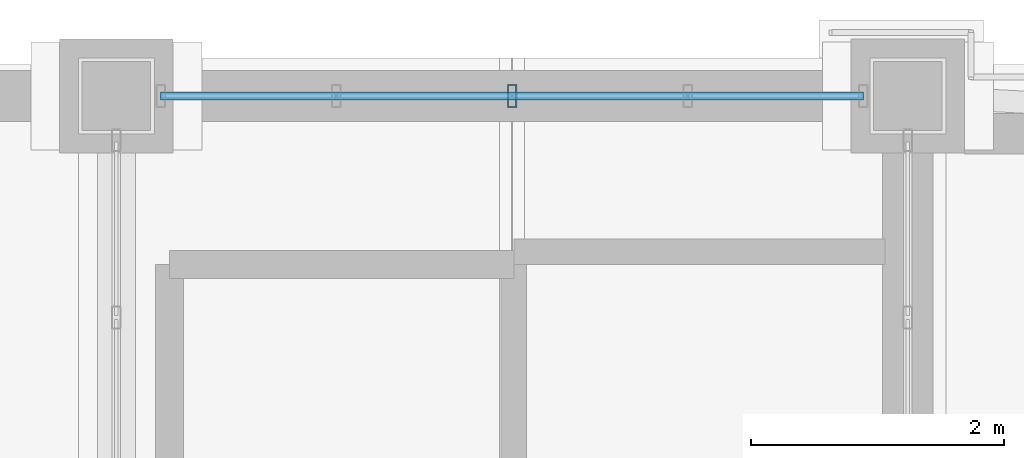
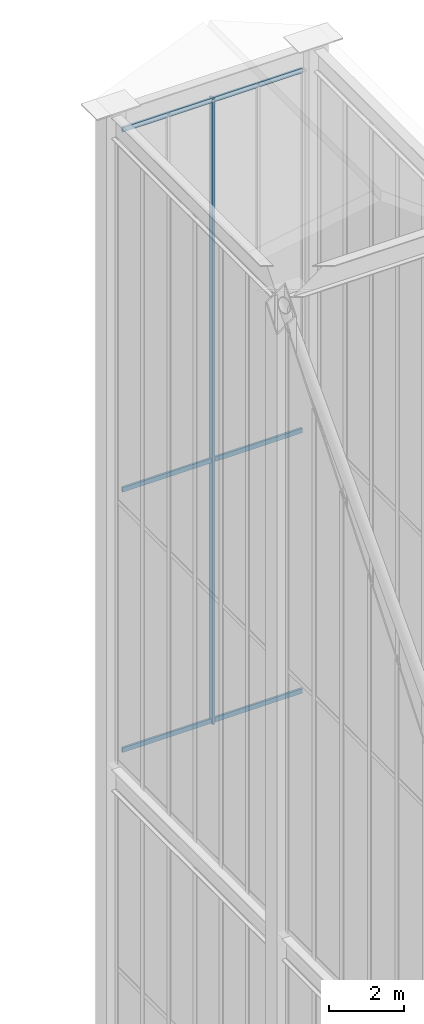
# One storey, part 112 of 135: 4 members, 1 element without a shape of its own.
"""IFC4 building model written with IfcOpenShell, lengths in metres."""

from ifc_helpers import new_model, si_unit, direction, frame, origin, origin_2d, place, context, subcontext, project, spatial, hollow_rectangle, extrude, source, transform, mapped, material, layer, layer_set, material_profile, profile_set, type_object, element, aggregate, save


model = new_model("IFC4")

# Units and contexts
model_context = context("Model", 3, precision=1e-05, world=origin(), true_north=direction((0.0, 1.0)))
body_context = subcontext(model_context, "Body", "Model", "MODEL_VIEW")
ifc_project = project(units=[si_unit("LENGTHUNIT", "METRE"), si_unit("AREAUNIT", "SQUARE_METRE"), si_unit("VOLUMEUNIT", "CUBIC_METRE"), si_unit("PLANEANGLEUNIT", "RADIAN"), si_unit("MASSUNIT", "GRAM", prefix="KILO")], contexts=[model_context])

# Site, building, storey
site_placement = place(None, origin())
site = spatial("IfcSite", under=ifc_project, at=site_placement, CompositionType="ELEMENT")
building_placement = place(site_placement, origin())
building = spatial("IfcBuilding", under=site, at=building_placement, Name="Giltprow Tower", CompositionType="ELEMENT")
storey_placement = place(building_placement, frame((0.0, 0.0, 352.699951171875)))
storey = spatial("IfcBuildingStorey", under=building, at=storey_placement, Name="L92", CompositionType="ELEMENT", Elevation=352.699951171875)

# Curtain wall, members
ifc_material = material(Name="Anodized bronze", Category="metal")
ifc_layer = layer(ifc_material, 0.179931640625, Name="Anodized bronze")
ifc_layer_set = layer_set([ifc_layer], Name="Anodized bronze")
curtain_wall_type = type_object("IfcCurtainWallType", Name="CW-CROWN-LANTERN", PredefinedType="NOTDEFINED", material=ifc_layer_set)
curtain_wall_placement = place(storey_placement, origin())
curtain_wall = element("IfcCurtainWall", 1, at=curtain_wall_placement, inside=storey, type_object=curtain_wall_type, Name="Crown East Upper Lantern Glazing 4", PredefinedType="NOTDEFINED")
ifc_material_profile_1 = material_profile(ifc_material, hollow_rectangle(XDim=0.06494140625, YDim=0.14990234375, WallThickness=0.006103515625, at=origin_2d()), Name="RHS 150x65x6")
ifc_profile_set_1 = profile_set([ifc_material_profile_1], Name="Anodized bronze")
member_type_1 = type_object("IfcMemberType", Name="CW-TRANSOM-150x65", PredefinedType="USERDEFINED", material=ifc_profile_set_1)
shared_shape_1 = source(origin(), body_context, "Body", "SweptSolid", [
    extrude(hollow_rectangle(XDim=0.06494140625, YDim=0.14990234375, WallThickness=0.006103515625, at=origin_2d()), origin(), (0.0, 0.0, 1.0), 5.550048828125),
])
member_1_placement = place(storey_placement, frame((50.199951171875, 46.550048828125, 17.340087890625), z_axis=(-1.0, 0.0, 0.0), x_axis=(0.0, -1.0, 0.0)))
member_1 = element("IfcMember", 2, at=member_1_placement, type_object=member_type_1, Name="Crown East Upper Lantern Glazing 4 Transom 1", ObjectType="TRANSOM", PredefinedType="USERDEFINED", context=body_context, shape_type="MappedRepresentation", body=[
    mapped(shared_shape_1, transform((0.0, 0.0, 0.0), x_axis=(1.0, 0.0, 0.0), y_axis=(0.0, 1.0, 0.0), z_axis=(0.0, 0.0, 1.0), scale=1.0)),
])
member_2_placement = place(storey_placement, frame((50.199951171875, 46.550048828125, 25.8330078125), z_axis=(-1.0, 0.0, 0.0), x_axis=(0.0, -1.0, 0.0)))
member_2 = element("IfcMember", 3, at=member_2_placement, type_object=member_type_1, Name="Crown East Upper Lantern Glazing 4 Transom 2", ObjectType="TRANSOM", PredefinedType="USERDEFINED", context=body_context, shape_type="MappedRepresentation", body=[
    mapped(shared_shape_1, transform((0.0, 0.0, 0.0), x_axis=(1.0, 0.0, 0.0), y_axis=(0.0, 1.0, 0.0), z_axis=(0.0, 0.0, 1.0), scale=1.0)),
])
member_3_placement = place(storey_placement, frame((50.199951171875, 46.550048828125, 37.575927734375), z_axis=(-1.0, 0.0, 0.0), x_axis=(0.0, -1.0, 0.0)))
member_3 = element("IfcMember", 4, at=member_3_placement, type_object=member_type_1, Name="Crown East Upper Lantern Glazing 4 Transom 3", ObjectType="TRANSOM", PredefinedType="USERDEFINED", context=body_context, shape_type="MappedRepresentation", body=[
    mapped(shared_shape_1, transform((0.0, 0.0, 0.0), x_axis=(1.0, 0.0, 0.0), y_axis=(0.0, 1.0, 0.0), z_axis=(0.0, 0.0, 1.0), scale=1.0)),
])
ifc_material_profile_2 = material_profile(ifc_material, hollow_rectangle(XDim=0.074951171875, YDim=0.179931640625, WallThickness=0.008056640625, at=origin_2d()), Name="RHS 180x75x8")
ifc_profile_set_2 = profile_set([ifc_material_profile_2], Name="Anodized bronze")
member_type_2 = type_object("IfcMemberType", Name="CW-MULLION-180x75", PredefinedType="MULLION", material=ifc_profile_set_2)
shared_shape_2 = source(origin(), body_context, "Body", "SweptSolid", [
    extrude(hollow_rectangle(XDim=0.074951171875, YDim=0.179931640625, WallThickness=0.008056640625, at=origin_2d()), origin(), (0.0, 0.0, 1.0), 20.406005859375),
])
member_4_placement = place(storey_placement, frame((47.425048828125, 46.550048828125, 17.25), z_axis=(0.0, 0.0, 1.0), x_axis=(1.0, 0.0, 0.0)))
member_4 = element("IfcMember", 5, at=member_4_placement, type_object=member_type_2, Name="Crown East Upper Lantern Glazing 4 Mullion 3", PredefinedType="MULLION", context=body_context, shape_type="MappedRepresentation", body=[
    mapped(shared_shape_2, transform((0.0, 0.0, 0.0), x_axis=(1.0, 0.0, 0.0), y_axis=(0.0, 1.0, 0.0), z_axis=(0.0, 0.0, 1.0), scale=1.0)),
])
aggregate(curtain_wall, [member_4, member_1, member_2, member_3])

save(model, "model.ifc")
